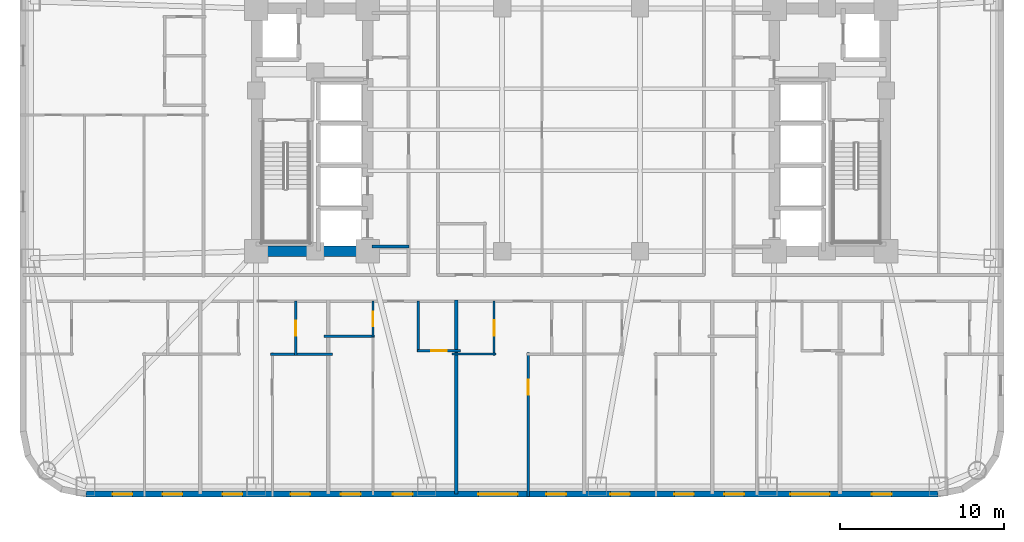
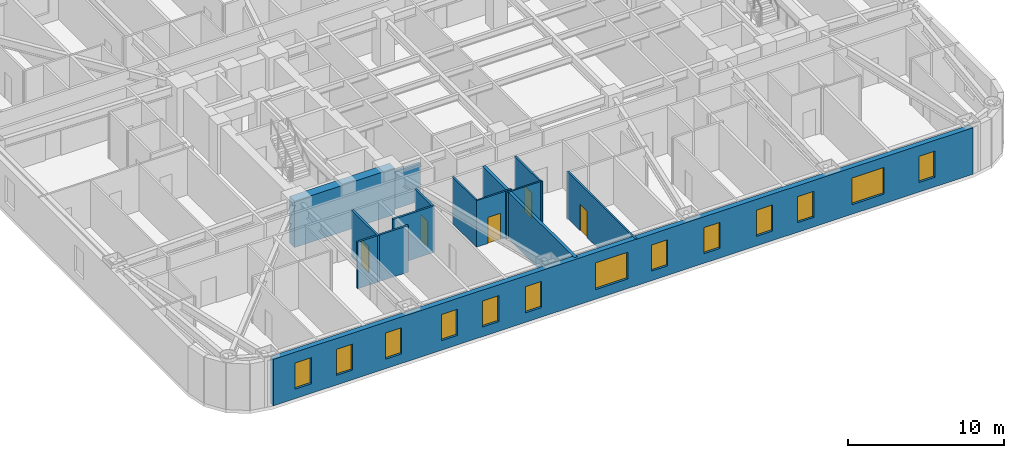
# One storey, part 3 of 11: 13 walls, 13 windows, 5 doors, 18 openings.
"""IFC4 building model written with IfcOpenShell, lengths in metres."""

import ifcopenshell
import ifcopenshell.guid

model = None  # the IFC model being written
_history = None  # IfcOwnerHistory: only IFC2X3 demands one
_inside = {}  # id of a spatial element -> (the spatial element, [elements in it])
_under = {}  # id of a project, library or spatial element -> (it, [spatial elements below it])
_declared = {}  # id of a project -> (the project, [libraries it declares])
_typed = {}  # id of a type object -> (the type object, [elements of that type])
_made_of = {}  # id of a material, layer set ... -> (it, [elements and type objects made of it])


def new_model(schema):
    """Start an empty IFC model of exactly this schema.

    Asked for "IFC4X3", IfcOpenShell would pick the latest addendum, in which some entities
    have other attributes; the version numbers below select the first issue.
    IFC2X3 requires an IfcOwnerHistory on every rooted entity: one is made here for all.
    """
    global model, _history
    if schema == "IFC4X3":
        model = ifcopenshell.file(schema_version=(4, 3, 0, 0))
    else:
        model = ifcopenshell.file(schema=schema)
    _inside.clear()
    _under.clear()
    _declared.clear()
    _typed.clear()
    _made_of.clear()
    _history = None
    if model.schema == "IFC2X3":
        org = make("IfcOrganization", Name="unknown")
        user = make(
            "IfcPersonAndOrganization",
            ThePerson=make("IfcPerson", FamilyName="unknown"),
            TheOrganization=org,
        )
        app = make(
            "IfcApplication",
            ApplicationDeveloper=org,
            Version="unknown",
            ApplicationFullName="unknown",
            ApplicationIdentifier="unknown",
        )
        _history = make(
            "IfcOwnerHistory",
            OwningUser=user,
            OwningApplication=app,
            ChangeAction="ADDED",
            CreationDate=0,
        )
    return model


def make(cls, **values):
    """One entity of the class cls with the attributes given. An attribute that is None is left unset."""
    return model.create_entity(
        cls, **{name: value for name, value in values.items() if value is not None}
    )


def rooted(cls, **values):
    """An entity with a GlobalId (a new one), such as an element, a storey or a relation."""
    return make(cls, GlobalId=ifcopenshell.guid.new(), OwnerHistory=_history, **values)


def si_unit(unit_type, name, prefix=None):
    """IfcSIUnit, for example si_unit("LENGTHUNIT", "METRE", prefix="MILLI")."""
    return make("IfcSIUnit", UnitType=unit_type, Prefix=prefix, Name=name)


def assignment(units):
    """IfcUnitAssignment: the units of a project."""
    return None if units is None else make("IfcUnitAssignment", Units=units)


def point(xyz):
    """IfcCartesianPoint."""
    return None if xyz is None else make("IfcCartesianPoint", Coordinates=xyz)


def direction(xyz):
    """IfcDirection."""
    return None if xyz is None else make("IfcDirection", DirectionRatios=xyz)


def frame(location, z_axis=None, x_axis=None):
    """IfcAxis2Placement3D, a coordinate frame: its origin and axes. An axis left out is left unset."""
    return make(
        "IfcAxis2Placement3D",
        Location=point(location),
        Axis=direction(z_axis),
        RefDirection=direction(x_axis),
    )


def frame_2d(location, x_axis=None):
    """IfcAxis2Placement2D, a coordinate frame in the plane: its origin and x axis."""
    return make(
        "IfcAxis2Placement2D", Location=point(location), RefDirection=direction(x_axis)
    )


def origin():
    """The frame at (0, 0, 0) with its axes left unset."""
    return frame((0.0, 0.0, 0.0))


def place(relative_to, where):
    """IfcLocalPlacement: puts the frame where relative to a parent placement (None: the world)."""
    return make(
        "IfcLocalPlacement", PlacementRelTo=relative_to, RelativePlacement=where
    )


def context(
    kind, dimensions, precision=None, world=None, true_north=None, identifier=None
):
    """IfcGeometricRepresentationContext, for example the 3D "Model" context."""
    return make(
        "IfcGeometricRepresentationContext",
        ContextIdentifier=identifier,
        ContextType=kind,
        CoordinateSpaceDimension=dimensions,
        Precision=precision,
        WorldCoordinateSystem=world,
        TrueNorth=true_north,
    )


def subcontext(parent, identifier, kind, view, scale=None):
    """IfcGeometricRepresentationSubContext, for example "Body" below "Model"."""
    return make(
        "IfcGeometricRepresentationSubContext",
        ContextIdentifier=identifier,
        ContextType=kind,
        ParentContext=parent,
        TargetScale=scale,
        TargetView=view,
    )


def project(units=None, contexts=None):
    """IfcProject with its units and contexts."""
    return rooted(
        "IfcProject",
        Name="project",
        RepresentationContexts=contexts,
        UnitsInContext=assignment(units),
    )


def spatial(cls, under=None, at=None, **own):
    """A site, building, storey or space (cls), placed at a placement, below another one or the project."""
    s = rooted(cls, ObjectPlacement=at, **own)
    if under is not None:
        _under.setdefault(under.id(), (under, []))[1].append(s)
    return s


def profile(cls, at=None, kind="AREA", **sizes):
    """A parametric profile (cls). Its sizes go by their IFC names, for example OverallWidth=200.0."""
    return make(cls, ProfileType=kind, Position=at, **sizes)


def rectangle(**sizes):
    """IfcRectangleProfileDef."""
    return profile("IfcRectangleProfileDef", **sizes)


def extrude(swept, where, along, depth):
    """IfcExtrudedAreaSolid: the profile swept, set in the frame where, extruded along a direction by depth."""
    return make(
        "IfcExtrudedAreaSolid",
        SweptArea=swept,
        Position=where,
        ExtrudedDirection=direction(along),
        Depth=depth,
    )


def shape(context_of_items, identifier, shape_type, items):
    """IfcShapeRepresentation: the items that make up one representation, for example the "Body"."""
    return make(
        "IfcShapeRepresentation",
        ContextOfItems=context_of_items,
        RepresentationIdentifier=identifier,
        RepresentationType=shape_type,
        Items=items,
    )


def material(Name=None, Category=None):
    """IfcMaterial."""
    return make("IfcMaterial", Name=Name, Category=Category)


def layer(
    of_material, thickness, ventilated=None, Name=None, Category=None, Priority=None
):
    """IfcMaterialLayer: one layer of a wall or slab, of a material (None: an air gap)."""
    return make(
        "IfcMaterialLayer",
        Material=of_material,
        LayerThickness=thickness,
        IsVentilated=ventilated,
        Name=Name,
        Category=Category,
        Priority=Priority,
    )


def layer_set(layers, Name=None):
    """IfcMaterialLayerSet."""
    return make("IfcMaterialLayerSet", MaterialLayers=layers, LayerSetName=Name)


def made_of(thing, what):
    """Note that an element or type object is made of a material, layer set ...; save() writes the relation."""
    if what is not None:
        _made_of.setdefault(what.id(), (what, []))[1].append(thing)
    return thing


def type_object(cls, material=None, **own):
    """A type object (cls), such as IfcWallType, which elements share."""
    return made_of(rooted(cls, **own), material)


def element(
    cls,
    number,
    at=None,
    inside=None,
    cuts=None,
    type_object=None,
    material=None,
    context=None,
    identifier="Body",
    shape_type=None,
    held_by="IfcProductDefinitionShape",
    body=None,
    shapes=None,
    **own,
):
    """One element of the class cls, such as IfcWall. Its Tag is "e" and its number.

    at: its placement. inside: the storey or other place that contains it. cuts: it is an
    opening in that element (IfcRelVoidsElement). A single representation is given by context,
    identifier, shape_type and body (its items); several are given by shapes. held_by: the class
    of the entity that holds the representations. save() writes the other relations.
    """
    e = rooted(cls, Tag="e%d" % number, ObjectPlacement=at, **own)
    if body is not None:
        shapes = [shape(context, identifier, shape_type, body)]
    if shapes is not None:
        e.Representation = make(held_by, Representations=shapes)
    if inside is not None:
        _inside.setdefault(inside.id(), (inside, []))[1].append(e)
    if cuts is not None:
        rooted(
            "IfcRelVoidsElement", RelatingBuildingElement=cuts, RelatedOpeningElement=e
        )
    if type_object is not None:
        _typed.setdefault(type_object.id(), (type_object, []))[1].append(e)
    return made_of(e, material)


def fill(opening, filler):
    """IfcRelFillsElement: the door or window that sits in an opening."""
    return rooted(
        "IfcRelFillsElement",
        RelatingOpeningElement=opening,
        RelatedBuildingElement=filler,
    )


def aggregate(whole, parts):
    """IfcRelAggregates: a whole, such as a stair, and the parts it consists of."""
    return rooted("IfcRelAggregates", RelatingObject=whole, RelatedObjects=parts)


def save(model, path):
    """Write the relations noted so far, then the file.

    IfcRelAggregates (storeys below a building ...), IfcRelContainedInSpatialStructure (elements
    in a storey), IfcRelDefinesByType, IfcRelAssociatesMaterial and IfcRelDeclares: one each for
    every whole, place, type object, material and project.
    """
    for whole, parts in _under.values():
        aggregate(whole, parts)
    for where, things in _inside.values():
        rooted(
            "IfcRelContainedInSpatialStructure",
            RelatedElements=things,
            RelatingStructure=where,
        )
    for kind, things in _typed.values():
        rooted("IfcRelDefinesByType", RelatedObjects=things, RelatingType=kind)
    for what, things in _made_of.values():
        rooted("IfcRelAssociatesMaterial", RelatedObjects=things, RelatingMaterial=what)
    for by, libraries in _declared.values():
        rooted("IfcRelDeclares", RelatingContext=by, RelatedDefinitions=libraries)
    model.write(path)


model = new_model("IFC4")

# Units and contexts
model_context = context("Model", 3, precision=1e-05, world=origin(), true_north=direction((0.0, 1.0)))
body_context = subcontext(model_context, "Body", "Model", "MODEL_VIEW")
ifc_project = project(units=[si_unit("LENGTHUNIT", "METRE"), si_unit("AREAUNIT", "SQUARE_METRE"), si_unit("VOLUMEUNIT", "CUBIC_METRE"), si_unit("PLANEANGLEUNIT", "RADIAN"), si_unit("MASSUNIT", "GRAM", prefix="KILO")], contexts=[model_context])

# Site, building, storey
site_placement = place(None, origin())
site = spatial("IfcSite", under=ifc_project, at=site_placement, CompositionType="ELEMENT")
building_placement = place(site_placement, origin())
building = spatial("IfcBuilding", under=site, at=building_placement, Name="Voryun Gate Residences", CompositionType="ELEMENT")
storey_placement = place(building_placement, frame((0.0, 0.0, 57.199951171875)))
storey = spatial("IfcBuildingStorey", under=building, at=storey_placement, Name="L13", CompositionType="ELEMENT", Elevation=57.199951171875)

# Walls
ifc_material_1 = material(Name="Concrete C60/75", Category="concrete")
ifc_layer_1 = layer(ifc_material_1, 0.64990234375, Name="CW_CORE_650")
ifc_layer_set_1 = layer_set([ifc_layer_1], Name="Concrete C60/75")
wall_type_1 = type_object("IfcWallType", Name="CW_CORE_650", PredefinedType="SHEAR", material=ifc_layer_set_1)
wall_1_placement = place(storey_placement, frame((-19.52490234375, -7.39990234375, 0.0), z_axis=(0.0, 0.0, 1.0), x_axis=(1.0, 0.0, 0.0)))
element("IfcWall", 1, at=wall_1_placement, inside=storey, type_object=wall_type_1, Name="L13 Core shear wall CW-L13-WS", PredefinedType="SHEAR", context=body_context, shape_type="SweptSolid", body=[
    extrude(rectangle(XDim=7.449951171875, YDim=0.64990234375, at=frame_2d((3.72509765625, 0.0))), origin(), (0.0, 0.0, 1.0), 3.650146484375),
])
ifc_material_2 = material(Name="Gypsum acoustic fireboard")
ifc_layer_2 = layer(ifc_material_2, 0.179931640625, Name="W_CORR_RATED_180")
ifc_layer_set_2 = layer_set([ifc_layer_2], Name="Gypsum acoustic fireboard")
wall_type_2 = type_object("IfcWallType", Name="W_CORR_RATED_180", PredefinedType="PARTITIONING", material=ifc_layer_set_2)
wall_2_placement = place(storey_placement, frame((-12.14990234375, -7.1201171875, 0.0), z_axis=(0.0, 0.0, 1.0), x_axis=(1.0, 0.0, 0.0)))
element("IfcWall", 2, at=wall_2_placement, inside=storey, type_object=wall_type_2, Name="Partition wall WP-L13-PLBS-W", PredefinedType="PARTITIONING", context=body_context, shape_type="SweptSolid", body=[
    extrude(rectangle(XDim=2.27001953125, YDim=0.179931640625, at=frame_2d((1.135009765625, 0.0))), origin(), (0.0, 0.0, 1.0), 2.93994140625),
])

# Wall, openings, windows
ifc_material_3 = material(Name="Granite masonry", Category="masonry")
ifc_layer_3 = layer(ifc_material_3, 0.3798828125, Name="W_EXT_GRANITE_380")
ifc_layer_set_3 = layer_set([ifc_layer_3], Name="Granite masonry")
wall_type_3 = type_object("IfcWallType", Name="W_EXT_GRANITE_380", PredefinedType="ELEMENTEDWALL", material=ifc_layer_set_3)
wall_3_placement = place(storey_placement, frame((22.38134765625, -22.2099609375, 0.0), z_axis=(0.0, 0.0, 1.0), x_axis=(-1.0, 0.0, 0.0)))
wall_3 = element("IfcWall", 3, at=wall_3_placement, inside=storey, type_object=wall_type_3, Name="Exterior wall WEXT-L13-01", PredefinedType="ELEMENTEDWALL", context=body_context, shape_type="SweptSolid", body=[
    extrude(rectangle(XDim=51.962646484375, YDim=0.3798828125, at=frame_2d((25.9814453125, 0.0))), origin(), (0.0, 0.0, 1.0), 3.650146484375),
])
opening_1_placement = place(wall_3_placement, frame((6.6103515625, 0.0, 0.75)))
opening_1 = element("IfcOpeningElement", 4, at=opening_1_placement, cuts=wall_3, Name="Opening WN2", PredefinedType="OPENING", context=body_context, shape_type="SweptSolid", body=[
    extrude(rectangle(XDim=2.39990234375, YDim=2.10009765625, at=frame_2d((1.199951171875, 1.050048828125))), frame((0.0, 0.199951171875, 0.0), z_axis=(0.0, -1.0, 0.0), x_axis=(1.0, 0.0, 0.0)), (0.0, 0.0, 1.0), 0.39990234375),
])
opening_2_placement = place(wall_3_placement, frame((25.63134765625, 0.0, 0.75)))
opening_2 = element("IfcOpeningElement", 5, at=opening_2_placement, cuts=wall_3, Name="Opening WN2", PredefinedType="OPENING", context=body_context, shape_type="SweptSolid", body=[
    extrude(rectangle(XDim=2.39990234375, YDim=2.10009765625, at=frame_2d((1.199951171875, 1.050048828125))), frame((0.0, 0.199951171875, 0.0), z_axis=(0.0, -1.0, 0.0), x_axis=(1.0, 0.0, 0.0)), (0.0, 0.0, 1.0), 0.39990234375),
])
opening_3_placement = place(wall_3_placement, frame((49.1318359375, 0.0, 0.75)))
opening_3 = element("IfcOpeningElement", 6, at=opening_3_placement, cuts=wall_3, Name="Opening WN6", PredefinedType="OPENING", context=body_context, shape_type="SweptSolid", body=[
    extrude(rectangle(XDim=1.199951171875, YDim=2.050048828125, at=frame_2d((0.60009765625, 1.02490234375))), frame((0.0, 0.199951171875, 0.0), z_axis=(0.0, -1.0, 0.0), x_axis=(1.0, 0.0, 0.0)), (0.0, 0.0, 1.0), 0.39990234375),
])
opening_4_placement = place(wall_3_placement, frame((46.086181640625, 0.0, 0.75)))
opening_4 = element("IfcOpeningElement", 7, at=opening_4_placement, cuts=wall_3, Name="Opening WN6", PredefinedType="OPENING", context=body_context, shape_type="SweptSolid", body=[
    extrude(rectangle(XDim=1.199951171875, YDim=2.050048828125, at=frame_2d((0.60009765625, 1.02490234375))), frame((0.0, 0.199951171875, 0.0), z_axis=(0.0, -1.0, 0.0), x_axis=(1.0, 0.0, 0.0)), (0.0, 0.0, 1.0), 0.39990234375),
])
opening_5_placement = place(wall_3_placement, frame((42.42626953125, 0.0, 0.75)))
opening_5 = element("IfcOpeningElement", 8, at=opening_5_placement, cuts=wall_3, Name="Opening WN6", PredefinedType="OPENING", context=body_context, shape_type="SweptSolid", body=[
    extrude(rectangle(XDim=1.199951171875, YDim=2.050048828125, at=frame_2d((0.60009765625, 1.02490234375))), frame((0.0, 0.199951171875, 0.0), z_axis=(0.0, -1.0, 0.0), x_axis=(1.0, 0.0, 0.0)), (0.0, 0.0, 1.0), 0.39990234375),
])
opening_6_placement = place(wall_3_placement, frame((38.286376953125, 0.0, 0.75)))
opening_6 = element("IfcOpeningElement", 9, at=opening_6_placement, cuts=wall_3, Name="Opening WN6", PredefinedType="OPENING", context=body_context, shape_type="SweptSolid", body=[
    extrude(rectangle(XDim=1.199951171875, YDim=2.050048828125, at=frame_2d((0.60009765625, 1.02490234375))), frame((0.0, 0.199951171875, 0.0), z_axis=(0.0, -1.0, 0.0), x_axis=(1.0, 0.0, 0.0)), (0.0, 0.0, 1.0), 0.39990234375),
])
opening_7_placement = place(wall_3_placement, frame((35.21875, 0.0, 0.75)))
opening_7 = element("IfcOpeningElement", 10, at=opening_7_placement, cuts=wall_3, Name="Opening WN6", PredefinedType="OPENING", context=body_context, shape_type="SweptSolid", body=[
    extrude(rectangle(XDim=1.199951171875, YDim=2.050048828125, at=frame_2d((0.60009765625, 1.02490234375))), frame((0.0, 0.199951171875, 0.0), z_axis=(0.0, -1.0, 0.0), x_axis=(1.0, 0.0, 0.0)), (0.0, 0.0, 1.0), 0.39990234375),
])
opening_8_placement = place(wall_3_placement, frame((32.038818359375, 0.0, 0.75)))
opening_8 = element("IfcOpeningElement", 11, at=opening_8_placement, cuts=wall_3, Name="Opening WN6", PredefinedType="OPENING", context=body_context, shape_type="SweptSolid", body=[
    extrude(rectangle(XDim=1.199951171875, YDim=2.050048828125, at=frame_2d((0.60009765625, 1.02490234375))), frame((0.0, 0.199951171875, 0.0), z_axis=(0.0, -1.0, 0.0), x_axis=(1.0, 0.0, 0.0)), (0.0, 0.0, 1.0), 0.39990234375),
])
opening_9_placement = place(wall_3_placement, frame((22.686279296875, 0.0, 0.75)))
opening_9 = element("IfcOpeningElement", 12, at=opening_9_placement, cuts=wall_3, Name="Opening WN6", PredefinedType="OPENING", context=body_context, shape_type="SweptSolid", body=[
    extrude(rectangle(XDim=1.199951171875, YDim=2.050048828125, at=frame_2d((0.60009765625, 1.02490234375))), frame((0.0, 0.199951171875, 0.0), z_axis=(0.0, -1.0, 0.0), x_axis=(1.0, 0.0, 0.0)), (0.0, 0.0, 1.0), 0.39990234375),
])
opening_10_placement = place(wall_3_placement, frame((18.786376953125, 0.0, 0.75)))
opening_10 = element("IfcOpeningElement", 13, at=opening_10_placement, cuts=wall_3, Name="Opening WN6", PredefinedType="OPENING", context=body_context, shape_type="SweptSolid", body=[
    extrude(rectangle(XDim=1.199951171875, YDim=2.050048828125, at=frame_2d((0.60009765625, 1.02490234375))), frame((0.0, 0.199951171875, 0.0), z_axis=(0.0, -1.0, 0.0), x_axis=(1.0, 0.0, 0.0)), (0.0, 0.0, 1.0), 0.39990234375),
])
opening_11_placement = place(wall_3_placement, frame((14.88623046875, 0.0, 0.75)))
opening_11 = element("IfcOpeningElement", 14, at=opening_11_placement, cuts=wall_3, Name="Opening WN6", PredefinedType="OPENING", context=body_context, shape_type="SweptSolid", body=[
    extrude(rectangle(XDim=1.199951171875, YDim=2.050048828125, at=frame_2d((0.60009765625, 1.02490234375))), frame((0.0, 0.199951171875, 0.0), z_axis=(0.0, -1.0, 0.0), x_axis=(1.0, 0.0, 0.0)), (0.0, 0.0, 1.0), 0.39990234375),
])
opening_12_placement = place(wall_3_placement, frame((11.826416015625, 0.0, 0.75)))
opening_12 = element("IfcOpeningElement", 15, at=opening_12_placement, cuts=wall_3, Name="Opening WN6", PredefinedType="OPENING", context=body_context, shape_type="SweptSolid", body=[
    extrude(rectangle(XDim=1.199951171875, YDim=2.050048828125, at=frame_2d((0.60009765625, 1.02490234375))), frame((0.0, 0.199951171875, 0.0), z_axis=(0.0, -1.0, 0.0), x_axis=(1.0, 0.0, 0.0)), (0.0, 0.0, 1.0), 0.39990234375),
])
opening_13_placement = place(wall_3_placement, frame((2.835693359375, 0.0, 0.75)))
opening_13 = element("IfcOpeningElement", 16, at=opening_13_placement, cuts=wall_3, Name="Opening WN6", PredefinedType="OPENING", context=body_context, shape_type="SweptSolid", body=[
    extrude(rectangle(XDim=1.199951171875, YDim=2.050048828125, at=frame_2d((0.60009765625, 1.02490234375))), frame((0.0, 0.199951171875, 0.0), z_axis=(0.0, -1.0, 0.0), x_axis=(1.0, 0.0, 0.0)), (0.0, 0.0, 1.0), 0.39990234375),
])
ifc_material_4 = material(Name="Laminated low-E glass", Category="glass")
window_type_1 = type_object("IfcWindowType", Name="WN_POD_SLOT_1200", PartitioningType="SINGLE_PANEL", PredefinedType="WINDOW", material=ifc_material_4)
window_1_placement = place(opening_3_placement, origin())
window_1 = element("IfcWindow", 17, at=window_1_placement, inside=storey, type_object=window_type_1, Name="Window WN-L13-DWFIX-14", OverallHeight=2.050048828125, OverallWidth=1.199951171875, PartitioningType="SINGLE_PANEL", PredefinedType="WINDOW", context=body_context, shape_type="SweptSolid", body=[
    extrude(rectangle(XDim=1.199951171875, YDim=2.050048828125, at=frame_2d((0.60009765625, 1.02490234375))), frame((0.0, 0.030029296875, 0.0), z_axis=(0.0, -1.0, 0.0), x_axis=(1.0, 0.0, 0.0)), (0.0, 0.0, 1.0), 0.06005859375),
])
fill(opening_3, window_1)
window_2_placement = place(opening_4_placement, origin())
window_2 = element("IfcWindow", 18, at=window_2_placement, inside=storey, type_object=window_type_1, Name="Window WN-L13-DWFIX-15", OverallHeight=2.050048828125, OverallWidth=1.199951171875, PartitioningType="SINGLE_PANEL", PredefinedType="WINDOW", context=body_context, shape_type="SweptSolid", body=[
    extrude(rectangle(XDim=1.199951171875, YDim=2.050048828125, at=frame_2d((0.60009765625, 1.02490234375))), frame((0.0, 0.030029296875, 0.0), z_axis=(0.0, -1.0, 0.0), x_axis=(1.0, 0.0, 0.0)), (0.0, 0.0, 1.0), 0.06005859375),
])
fill(opening_4, window_2)
window_3_placement = place(opening_5_placement, origin())
window_3 = element("IfcWindow", 19, at=window_3_placement, inside=storey, type_object=window_type_1, Name="Window WN-L13-DWFIX-16", OverallHeight=2.050048828125, OverallWidth=1.199951171875, PartitioningType="SINGLE_PANEL", PredefinedType="WINDOW", context=body_context, shape_type="SweptSolid", body=[
    extrude(rectangle(XDim=1.199951171875, YDim=2.050048828125, at=frame_2d((0.60009765625, 1.02490234375))), frame((0.0, 0.030029296875, 0.0), z_axis=(0.0, -1.0, 0.0), x_axis=(1.0, 0.0, 0.0)), (0.0, 0.0, 1.0), 0.06005859375),
])
fill(opening_5, window_3)
window_4_placement = place(opening_6_placement, origin())
window_4 = element("IfcWindow", 20, at=window_4_placement, inside=storey, type_object=window_type_1, Name="Window WN-L13-DWFIX-17", OverallHeight=2.050048828125, OverallWidth=1.199951171875, PartitioningType="SINGLE_PANEL", PredefinedType="WINDOW", context=body_context, shape_type="SweptSolid", body=[
    extrude(rectangle(XDim=1.199951171875, YDim=2.050048828125, at=frame_2d((0.60009765625, 1.02490234375))), frame((0.0, 0.030029296875, 0.0), z_axis=(0.0, -1.0, 0.0), x_axis=(1.0, 0.0, 0.0)), (0.0, 0.0, 1.0), 0.06005859375),
])
fill(opening_6, window_4)
window_5_placement = place(opening_7_placement, origin())
window_5 = element("IfcWindow", 21, at=window_5_placement, inside=storey, type_object=window_type_1, Name="Window WN-L13-DWFIX-18", OverallHeight=2.050048828125, OverallWidth=1.199951171875, PartitioningType="SINGLE_PANEL", PredefinedType="WINDOW", context=body_context, shape_type="SweptSolid", body=[
    extrude(rectangle(XDim=1.199951171875, YDim=2.050048828125, at=frame_2d((0.60009765625, 1.02490234375))), frame((0.0, 0.030029296875, 0.0), z_axis=(0.0, -1.0, 0.0), x_axis=(1.0, 0.0, 0.0)), (0.0, 0.0, 1.0), 0.06005859375),
])
fill(opening_7, window_5)
window_6_placement = place(opening_8_placement, origin())
window_6 = element("IfcWindow", 22, at=window_6_placement, inside=storey, type_object=window_type_1, Name="Window WN-L13-DWFIX-19", OverallHeight=2.050048828125, OverallWidth=1.199951171875, PartitioningType="SINGLE_PANEL", PredefinedType="WINDOW", context=body_context, shape_type="SweptSolid", body=[
    extrude(rectangle(XDim=1.199951171875, YDim=2.050048828125, at=frame_2d((0.60009765625, 1.02490234375))), frame((0.0, 0.030029296875, 0.0), z_axis=(0.0, -1.0, 0.0), x_axis=(1.0, 0.0, 0.0)), (0.0, 0.0, 1.0), 0.06005859375),
])
fill(opening_8, window_6)
window_7_placement = place(opening_9_placement, origin())
window_7 = element("IfcWindow", 23, at=window_7_placement, inside=storey, type_object=window_type_1, Name="Window WN-L13-DWFIX-20", OverallHeight=2.050048828125, OverallWidth=1.199951171875, PartitioningType="SINGLE_PANEL", PredefinedType="WINDOW", context=body_context, shape_type="SweptSolid", body=[
    extrude(rectangle(XDim=1.199951171875, YDim=2.050048828125, at=frame_2d((0.60009765625, 1.02490234375))), frame((0.0, 0.030029296875, 0.0), z_axis=(0.0, -1.0, 0.0), x_axis=(1.0, 0.0, 0.0)), (0.0, 0.0, 1.0), 0.06005859375),
])
fill(opening_9, window_7)
window_8_placement = place(opening_10_placement, origin())
window_8 = element("IfcWindow", 24, at=window_8_placement, inside=storey, type_object=window_type_1, Name="Window WN-L13-DWFIX-21", OverallHeight=2.050048828125, OverallWidth=1.199951171875, PartitioningType="SINGLE_PANEL", PredefinedType="WINDOW", context=body_context, shape_type="SweptSolid", body=[
    extrude(rectangle(XDim=1.199951171875, YDim=2.050048828125, at=frame_2d((0.60009765625, 1.02490234375))), frame((0.0, 0.030029296875, 0.0), z_axis=(0.0, -1.0, 0.0), x_axis=(1.0, 0.0, 0.0)), (0.0, 0.0, 1.0), 0.06005859375),
])
fill(opening_10, window_8)
window_9_placement = place(opening_11_placement, origin())
window_9 = element("IfcWindow", 25, at=window_9_placement, inside=storey, type_object=window_type_1, Name="Window WN-L13-DWFIX-22", OverallHeight=2.050048828125, OverallWidth=1.199951171875, PartitioningType="SINGLE_PANEL", PredefinedType="WINDOW", context=body_context, shape_type="SweptSolid", body=[
    extrude(rectangle(XDim=1.199951171875, YDim=2.050048828125, at=frame_2d((0.60009765625, 1.02490234375))), frame((0.0, 0.030029296875, 0.0), z_axis=(0.0, -1.0, 0.0), x_axis=(1.0, 0.0, 0.0)), (0.0, 0.0, 1.0), 0.06005859375),
])
fill(opening_11, window_9)
window_10_placement = place(opening_12_placement, origin())
window_10 = element("IfcWindow", 26, at=window_10_placement, inside=storey, type_object=window_type_1, Name="Window WN-L13-DWFIX-23", OverallHeight=2.050048828125, OverallWidth=1.199951171875, PartitioningType="SINGLE_PANEL", PredefinedType="WINDOW", context=body_context, shape_type="SweptSolid", body=[
    extrude(rectangle(XDim=1.199951171875, YDim=2.050048828125, at=frame_2d((0.60009765625, 1.02490234375))), frame((0.0, 0.030029296875, 0.0), z_axis=(0.0, -1.0, 0.0), x_axis=(1.0, 0.0, 0.0)), (0.0, 0.0, 1.0), 0.06005859375),
])
fill(opening_12, window_10)
window_11_placement = place(opening_13_placement, origin())
window_11 = element("IfcWindow", 27, at=window_11_placement, inside=storey, type_object=window_type_1, Name="Window WN-L13-DWFIX-24", OverallHeight=2.050048828125, OverallWidth=1.199951171875, PartitioningType="SINGLE_PANEL", PredefinedType="WINDOW", context=body_context, shape_type="SweptSolid", body=[
    extrude(rectangle(XDim=1.199951171875, YDim=2.050048828125, at=frame_2d((0.60009765625, 1.02490234375))), frame((0.0, 0.030029296875, 0.0), z_axis=(0.0, -1.0, 0.0), x_axis=(1.0, 0.0, 0.0)), (0.0, 0.0, 1.0), 0.06005859375),
])
fill(opening_13, window_11)
ifc_material_5 = material(Name="Laminated low-E glass", Category="glass")
window_type_2 = type_object("IfcWindowType", Name="WN_RES_WIDE_2400", PartitioningType="SINGLE_PANEL", PredefinedType="WINDOW", material=ifc_material_5)
window_12_placement = place(opening_1_placement, origin())
window_12 = element("IfcWindow", 28, at=window_12_placement, inside=storey, type_object=window_type_2, Name="Window WN-WEXT-L13-01-01", OverallHeight=2.10009765625, OverallWidth=2.39990234375, PartitioningType="SINGLE_PANEL", PredefinedType="WINDOW", context=body_context, shape_type="SweptSolid", body=[
    extrude(rectangle(XDim=2.39990234375, YDim=2.10009765625, at=frame_2d((1.199951171875, 1.050048828125))), frame((0.0, 0.030029296875, 0.0), z_axis=(0.0, -1.0, 0.0), x_axis=(1.0, 0.0, 0.0)), (0.0, 0.0, 1.0), 0.06005859375),
])
fill(opening_1, window_12)
window_13_placement = place(opening_2_placement, origin())
window_13 = element("IfcWindow", 29, at=window_13_placement, inside=storey, type_object=window_type_2, Name="Window WN-WEXT-L13-01-02", OverallHeight=2.10009765625, OverallWidth=2.39990234375, PartitioningType="SINGLE_PANEL", PredefinedType="WINDOW", context=body_context, shape_type="SweptSolid", body=[
    extrude(rectangle(XDim=2.39990234375, YDim=2.10009765625, at=frame_2d((1.199951171875, 1.050048828125))), frame((0.0, 0.030029296875, 0.0), z_axis=(0.0, -1.0, 0.0), x_axis=(1.0, 0.0, 0.0)), (0.0, 0.0, 1.0), 0.06005859375),
])
fill(opening_2, window_13)

# Wall
ifc_material_6 = material(Name="Concrete C40/50", Category="concrete")
ifc_layer_4 = layer(ifc_material_6, 0.219970703125, Name="W_PARTY_ACOUSTIC_220")
ifc_layer_set_4 = layer_set([ifc_layer_4], Name="Concrete C40/50")
wall_type_4 = type_object("IfcWallType", Name="W_PARTY_ACOUSTIC_220", PredefinedType="PARTITIONING", material=ifc_layer_set_4)
wall_4_placement = place(storey_placement, frame((-7.0, -22.2099609375, 0.0), z_axis=(0.0, 0.0, 1.0), x_axis=(0.0, 1.0, 0.0)))
element("IfcWall", 30, at=wall_4_placement, inside=storey, type_object=wall_type_4, Name="Partition wall WP-L13-SPTY-3", PredefinedType="PARTITIONING", context=body_context, shape_type="SweptSolid", body=[
    extrude(rectangle(XDim=11.83984375, YDim=0.219970703125, at=frame_2d((5.919921875, 0.0))), origin(), (0.0, 0.0, 1.0), 3.650146484375),
])

# Wall, opening, door
ifc_material_7 = material(Name="Gypsum acoustic partition")
ifc_layer_5 = layer(ifc_material_7, 0.125, Name="W_UNIT_PART_125")
ifc_layer_set_5 = layer_set([ifc_layer_5], Name="Gypsum acoustic partition")
wall_type_5 = type_object("IfcWallType", Name="W_UNIT_PART_125", PredefinedType="PARTITIONING", material=ifc_layer_set_5)
wall_5_placement = place(storey_placement, frame((-9.376953125, -13.469970703125, 0.0), z_axis=(0.0, 0.0, 1.0), x_axis=(1.0, 0.0, 0.0)))
wall_5 = element("IfcWall", 31, at=wall_5_placement, inside=storey, type_object=wall_type_5, Name="Partition wall WP-L13-S3-KHY", PredefinedType="PARTITIONING", context=body_context, shape_type="SweptSolid", body=[
    extrude(rectangle(XDim=2.636962890625, YDim=0.125, at=frame_2d((1.318359375, 0.0))), origin(), (0.0, 0.0, 1.0), 3.650146484375),
])
opening_14_placement = place(wall_5_placement, frame((0.843505859375, 0.0, 0.0)))
opening_14 = element("IfcOpeningElement", 32, at=opening_14_placement, cuts=wall_5, Name="Opening D-INT-1", PredefinedType="OPENING", context=body_context, shape_type="SweptSolid", body=[
    extrude(rectangle(XDim=0.949951171875, YDim=2.050048828125, at=frame_2d((0.47509765625, 1.02490234375))), frame((0.0, 0.072509765625, 0.0), z_axis=(0.0, -1.0, 0.0), x_axis=(1.0, 0.0, 0.0)), (0.0, 0.0, 1.0), 0.14501953125),
])
ifc_material_8 = material(Name="Architectural oak veneer")
door_type_1 = type_object("IfcDoorType", Name="DR_INT_ROOM_950", OperationType="NOTDEFINED", PredefinedType="DOOR", material=ifc_material_8)
door_1_placement = place(opening_14_placement, origin())
door_1 = element("IfcDoor", 33, at=door_1_placement, inside=storey, type_object=door_type_1, Name="Door DR-L13-S3-DK", OperationType="SINGLE_SWING_LEFT", OverallHeight=2.050048828125, OverallWidth=0.949951171875, PredefinedType="DOOR", context=body_context, shape_type="SweptSolid", body=[
    extrude(rectangle(XDim=0.949951171875, YDim=2.050048828125, at=frame_2d((0.47509765625, 1.02490234375))), frame((0.0, 0.02490234375, 0.0), z_axis=(0.0, -1.0, 0.0), x_axis=(1.0, 0.0, 0.0)), (0.0, 0.0, 1.0), 0.050048828125),
])
fill(opening_14, door_1)

# Wall
wall_6_placement = place(storey_placement, frame((-9.31689453125, -13.530029296875, 0.0), z_axis=(0.0, 0.0, 1.0), x_axis=(0.0, 1.0, 0.0)))
element("IfcWall", 34, at=wall_6_placement, inside=storey, type_object=wall_type_5, Name="Partition wall WP-L13-S3-KVX", PredefinedType="PARTITIONING", context=body_context, shape_type="SweptSolid", body=[
    extrude(rectangle(XDim=3.10009765625, YDim=0.125, at=frame_2d((1.550048828125, 0.0))), origin(), (0.0, 0.0, 1.0), 3.650146484375),
])

# Wall, opening, door
wall_7_placement = place(storey_placement, frame((-2.610107421875, -22.360107421875, 0.0), z_axis=(0.0, 0.0, 1.0), x_axis=(0.0, 1.0, 0.0)))
wall_7 = element("IfcWall", 35, at=wall_7_placement, inside=storey, type_object=wall_type_5, Name="Partition wall WP-L13-S4-OVR", PredefinedType="PARTITIONING", context=body_context, shape_type="SweptSolid", body=[
    extrude(rectangle(XDim=8.77001953125, YDim=0.125, at=frame_2d((4.385009765625, 0.0))), origin(), (0.0, 0.0, 1.0), 3.650146484375),
])
opening_15_placement = place(wall_7_placement, frame((6.215087890625, 0.0, 0.0)))
opening_15 = element("IfcOpeningElement", 36, at=opening_15_placement, cuts=wall_7, Name="Opening D-INT-2", PredefinedType="OPENING", context=body_context, shape_type="SweptSolid", body=[
    extrude(rectangle(XDim=0.89990234375, YDim=2.050048828125, at=frame_2d((0.449951171875, 1.02490234375))), frame((0.0, 0.072509765625, 0.0), z_axis=(0.0, -1.0, 0.0), x_axis=(1.0, 0.0, 0.0)), (0.0, 0.0, 1.0), 0.14501953125),
])
ifc_material_9 = material(Name="Architectural oak veneer")
door_type_2 = type_object("IfcDoorType", Name="DR_INT_BATH_900", OperationType="NOTDEFINED", PredefinedType="DOOR", material=ifc_material_9)
door_2_placement = place(opening_15_placement, origin())
door_2 = element("IfcDoor", 37, at=door_2_placement, inside=storey, type_object=door_type_2, Name="Door DR-L13-S4-DMB", OperationType="SINGLE_SWING_RIGHT", OverallHeight=2.050048828125, OverallWidth=0.89990234375, PredefinedType="DOOR", context=body_context, shape_type="SweptSolid", body=[
    extrude(rectangle(XDim=0.89990234375, YDim=2.050048828125, at=frame_2d((0.449951171875, 1.02490234375))), frame((0.0, 0.02490234375, 0.0), z_axis=(0.0, -1.0, 0.0), x_axis=(1.0, 0.0, 0.0)), (0.0, 0.0, 1.0), 0.050048828125),
])
fill(opening_15, door_2)

wall_8_placement = place(storey_placement, frame((-4.68994140625, -13.75, 0.0), z_axis=(0.0, 0.0, 1.0), x_axis=(0.0, 1.0, 0.0)))
wall_8 = element("IfcWall", 38, at=wall_8_placement, inside=storey, type_object=wall_type_5, Name="Partition wall WP-L13-S4-IVK", PredefinedType="PARTITIONING", context=body_context, shape_type="SweptSolid", body=[
    extrude(rectangle(XDim=3.320068359375, YDim=0.125, at=frame_2d((1.66015625, 0.0))), origin(), (0.0, 0.0, 1.0), 3.650146484375),
])
opening_16_placement = place(wall_8_placement, frame((1.18505859375, 0.0, 0.0)))
opening_16 = element("IfcOpeningElement", 39, at=opening_16_placement, cuts=wall_8, Name="Opening D-INT-1", PredefinedType="OPENING", context=body_context, shape_type="SweptSolid", body=[
    extrude(rectangle(XDim=0.949951171875, YDim=2.050048828125, at=frame_2d((0.47509765625, 1.02490234375))), frame((0.0, 0.072509765625, 0.0), z_axis=(0.0, -1.0, 0.0), x_axis=(1.0, 0.0, 0.0)), (0.0, 0.0, 1.0), 0.14501953125),
])
door_3_placement = place(opening_16_placement, origin())
door_3 = element("IfcDoor", 40, at=door_3_placement, inside=storey, type_object=door_type_1, Name="Door DR-L13-S4-DK", OperationType="SINGLE_SWING_LEFT", OverallHeight=2.050048828125, OverallWidth=0.949951171875, PredefinedType="DOOR", context=body_context, shape_type="SweptSolid", body=[
    extrude(rectangle(XDim=0.949951171875, YDim=2.050048828125, at=frame_2d((0.47509765625, 1.02490234375))), frame((0.0, 0.02490234375, 0.0), z_axis=(0.0, -1.0, 0.0), x_axis=(1.0, 0.0, 0.0)), (0.0, 0.0, 1.0), 0.050048828125),
])
fill(opening_16, door_3)

# Walls
wall_9_placement = place(storey_placement, frame((-7.260009765625, -13.669921875, 0.0), z_axis=(0.0, 0.0, 1.0), x_axis=(1.0, 0.0, 0.0)))
element("IfcWall", 41, at=wall_9_placement, inside=storey, type_object=wall_type_5, Name="Partition wall WP-L13-S4-HZK", PredefinedType="PARTITIONING", context=body_context, shape_type="SweptSolid", body=[
    extrude(rectangle(XDim=2.68994140625, YDim=0.125, at=frame_2d((1.344970703125, 0.0))), origin(), (0.0, 0.0, 1.0), 3.650146484375),
])
ifc_material_10 = material(Name="Gypsum moisture-resistant partition")
ifc_layer_6 = layer(ifc_material_10, 0.14990234375, Name="W_WET_PLUMB_150")
ifc_layer_set_6 = layer_set([ifc_layer_6], Name="Gypsum moisture-resistant partition")
wall_type_6 = type_object("IfcWallType", Name="W_WET_PLUMB_150", PredefinedType="PLUMBINGWALL", material=ifc_layer_set_6)
wall_10_placement = place(storey_placement, frame((-18.330078125, -13.669921875, 0.0), z_axis=(0.0, 0.0, 1.0), x_axis=(1.0, 0.0, 0.0)))
element("IfcWall", 42, at=wall_10_placement, inside=storey, type_object=wall_type_6, Name="Partition wall WP-L13-S2-HZB", PredefinedType="PLUMBINGWALL", context=body_context, shape_type="SweptSolid", body=[
    extrude(rectangle(XDim=3.7900390625, YDim=0.14990234375, at=frame_2d((1.89501953125, 0.0))), origin(), (0.0, 0.0, 1.0), 3.650146484375),
])

# Wall, opening, door
wall_11_placement = place(storey_placement, frame((-16.780029296875, -13.75, 0.0), z_axis=(0.0, 0.0, 1.0), x_axis=(0.0, 1.0, 0.0)))
wall_11 = element("IfcWall", 43, at=wall_11_placement, inside=storey, type_object=wall_type_6, Name="Partition wall WP-L13-S2-IVB", PredefinedType="PLUMBINGWALL", context=body_context, shape_type="SweptSolid", body=[
    extrude(rectangle(XDim=3.320068359375, YDim=0.14990234375, at=frame_2d((1.66015625, 0.0))), origin(), (0.0, 0.0, 1.0), 3.650146484375),
])
opening_17_placement = place(wall_11_placement, frame((1.2099609375, 0.0, 0.0)))
opening_17 = element("IfcOpeningElement", 44, at=opening_17_placement, cuts=wall_11, Name="Opening D-INT-2", PredefinedType="OPENING", context=body_context, shape_type="SweptSolid", body=[
    extrude(rectangle(XDim=0.89990234375, YDim=2.050048828125, at=frame_2d((0.449951171875, 1.02490234375))), frame((0.0, 0.0849609375, 0.0), z_axis=(0.0, -1.0, 0.0), x_axis=(1.0, 0.0, 0.0)), (0.0, 0.0, 1.0), 0.169921875),
])
door_4_placement = place(opening_17_placement, origin())
door_4 = element("IfcDoor", 45, at=door_4_placement, inside=storey, type_object=door_type_2, Name="Door DR-L13-S2-DB", OperationType="SINGLE_SWING_RIGHT", OverallHeight=2.050048828125, OverallWidth=0.89990234375, PredefinedType="DOOR", context=body_context, shape_type="SweptSolid", body=[
    extrude(rectangle(XDim=0.89990234375, YDim=2.050048828125, at=frame_2d((0.449951171875, 1.02490234375))), frame((0.0, 0.02490234375, 0.0), z_axis=(0.0, -1.0, 0.0), x_axis=(1.0, 0.0, 0.0)), (0.0, 0.0, 1.0), 0.050048828125),
])
fill(opening_17, door_4)

# Wall
wall_12_placement = place(storey_placement, frame((-15.06005859375, -12.590087890625, 0.0), z_axis=(0.0, 0.0, 1.0), x_axis=(1.0, 0.0, 0.0)))
element("IfcWall", 46, at=wall_12_placement, inside=storey, type_object=wall_type_6, Name="Partition wall WP-L13-S3-LHY", PredefinedType="PLUMBINGWALL", context=body_context, shape_type="SweptSolid", body=[
    extrude(rectangle(XDim=3.06494140625, YDim=0.14990234375, at=frame_2d((1.532470703125, 0.0))), origin(), (0.0, 0.0, 1.0), 3.650146484375),
])

# Wall, opening, door
wall_13_placement = place(storey_placement, frame((-12.074951171875, -12.6298828125, 0.0), z_axis=(0.0, 0.0, 1.0), x_axis=(0.0, 1.0, 0.0)))
wall_13 = element("IfcWall", 47, at=wall_13_placement, inside=storey, type_object=wall_type_6, Name="Partition wall WP-L13-S3-LVX2", PredefinedType="PLUMBINGWALL", context=body_context, shape_type="SweptSolid", body=[
    extrude(rectangle(XDim=2.199951171875, YDim=0.14990234375, at=frame_2d((1.10009765625, 0.0))), origin(), (0.0, 0.0, 1.0), 3.650146484375),
])
opening_18_placement = place(wall_13_placement, frame((0.64990234375, 0.0, 0.0)))
opening_18 = element("IfcOpeningElement", 48, at=opening_18_placement, cuts=wall_13, Name="Opening D-INT-2", PredefinedType="OPENING", context=body_context, shape_type="SweptSolid", body=[
    extrude(rectangle(XDim=0.89990234375, YDim=2.050048828125, at=frame_2d((0.449951171875, 1.02490234375))), frame((0.0, 0.0849609375, 0.0), z_axis=(0.0, -1.0, 0.0), x_axis=(1.0, 0.0, 0.0)), (0.0, 0.0, 1.0), 0.169921875),
])
door_5_placement = place(opening_18_placement, origin())
door_5 = element("IfcDoor", 49, at=door_5_placement, inside=storey, type_object=door_type_2, Name="Door DR-L13-S3-DB", OperationType="SINGLE_SWING_RIGHT", OverallHeight=2.050048828125, OverallWidth=0.89990234375, PredefinedType="DOOR", context=body_context, shape_type="SweptSolid", body=[
    extrude(rectangle(XDim=0.89990234375, YDim=2.050048828125, at=frame_2d((0.449951171875, 1.02490234375))), frame((0.0, 0.02490234375, 0.0), z_axis=(0.0, -1.0, 0.0), x_axis=(1.0, 0.0, 0.0)), (0.0, 0.0, 1.0), 0.050048828125),
])
fill(opening_18, door_5)

save(model, "model.ifc")
